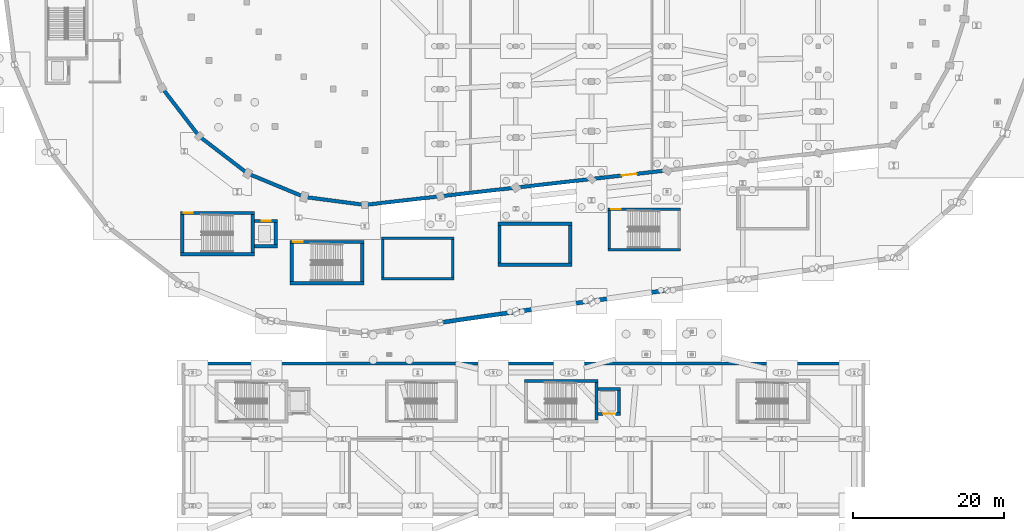
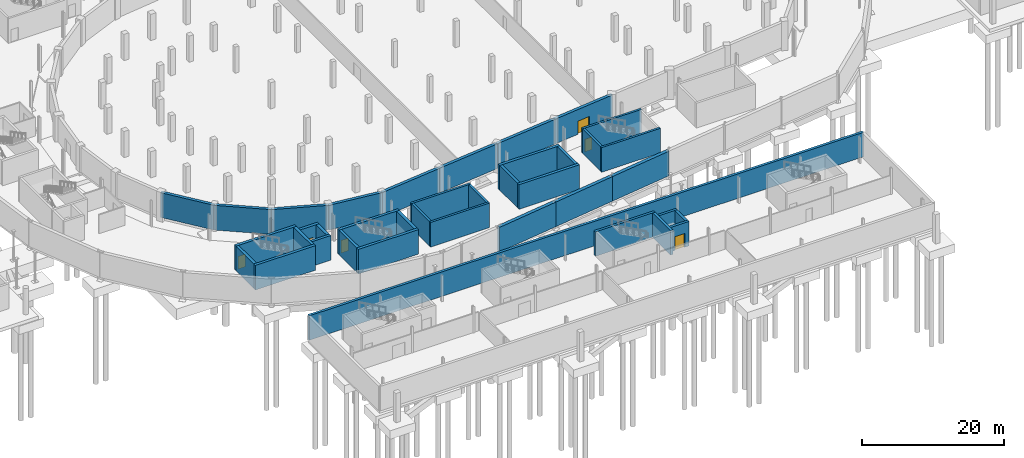
# One storey, part 45 of 55: 39 walls, 6 doors, 6 openings.
"""IFC4 building model written with IfcOpenShell, lengths in metres."""

from ifc_helpers import new_model, si_unit, direction, frame, frame_2d, origin, place, context, subcontext, project, spatial, rectangle, extrude, material, layer, layer_set, type_object, element, fill, save


model = new_model("IFC4")

# Units and contexts
model_context = context("Model", 3, precision=1e-05, world=origin(), true_north=direction((0.0, 1.0)))
body_context = subcontext(model_context, "Body", "Model", "MODEL_VIEW")
ifc_project = project(units=[si_unit("LENGTHUNIT", "METRE"), si_unit("AREAUNIT", "SQUARE_METRE"), si_unit("VOLUMEUNIT", "CUBIC_METRE"), si_unit("PLANEANGLEUNIT", "RADIAN"), si_unit("MASSUNIT", "GRAM", prefix="KILO")], contexts=[model_context])

# Site, building, storey
site_placement = place(None, origin())
site = spatial("IfcSite", under=ifc_project, at=site_placement, CompositionType="ELEMENT")
building_placement = place(site_placement, origin())
building = spatial("IfcBuilding", under=site, at=building_placement, Name="Sohan Crest Arena", CompositionType="ELEMENT")
storey_placement = place(building_placement, frame((0.0, 0.0, -4.5)))
storey = spatial("IfcBuildingStorey", under=building, at=storey_placement, Name="B1", CompositionType="ELEMENT", Elevation=-4.5)

# Walls
ifc_material_1 = material(Name="Concrete C40/50", Category="concrete")
ifc_layer_1 = layer(ifc_material_1, 0.419921875, Name="Concrete C40/50")
ifc_layer_set_1 = layer_set([ifc_layer_1], Name="Concrete C40/50")
wall_type_1 = type_object("IfcWallType", Name="WAL-RW01", PredefinedType="USERDEFINED", material=ifc_layer_set_1)
wall_1_placement = place(storey_placement, frame((164.0, 26.0, 0.0), z_axis=(0.0, 0.0, 1.0), x_axis=(-1.0, 0.0, 0.0)))
element("IfcWall", 1, at=wall_1_placement, inside=storey, type_object=wall_type_1, Name="External wall RW-037", ObjectType="RETAINING WALL", PredefinedType="USERDEFINED", context=body_context, shape_type="SweptSolid", body=[
    extrude(rectangle(XDim=90.0, YDim=0.419921875, at=frame_2d((45.0, 0.0))), origin(), (0.0, 0.0, 1.0), 4.199951171875),
])
ifc_layer_2 = layer(ifc_material_1, 0.47998046875, Name="Concrete C40/50")
ifc_layer_set_2 = layer_set([ifc_layer_2], Name="Concrete C40/50")
wall_type_2 = type_object("IfcWallType", Name="WAL-RW02", PredefinedType="USERDEFINED", material=ifc_layer_set_2)
for number, where, z_axis, x_axis, name in (
    (2, (71.153076171875, 62.5, 0.0), (0.0, 0.0, 1.0), (0.608825408167, -0.793304243257, 0.0), "External wall RW-009"),
    (3, (76.080078125, 56.080078125, 0.0), (0.0, 0.0, 1.0), (0.793304243257, -0.608825408167, 0.0), "External wall RW-010"),
):
    element("IfcWall", number, at=place(storey_placement, frame(where, z_axis=z_axis, x_axis=x_axis)), inside=storey, type_object=wall_type_2, Name=name, ObjectType="RETAINING WALL", PredefinedType="USERDEFINED", context=body_context, shape_type="SweptSolid", body=[
        extrude(rectangle(XDim=8.092529296875, YDim=0.47998046875, at=frame_2d((4.04638671875, 0.0))), origin(), (0.0, 0.0, 1.0), 4.25),
    ])
wall_2_placement = place(storey_placement, frame((82.5, 51.153076171875, 0.0), z_axis=(0.0, 0.0, 1.0), x_axis=(0.923876381497, -0.382691039498, 0.0)))
element("IfcWall", 4, at=wall_2_placement, inside=storey, type_object=wall_type_2, Name="External wall RW-011", ObjectType="RETAINING WALL", PredefinedType="USERDEFINED", context=body_context, shape_type="SweptSolid", body=[
    extrude(rectangle(XDim=8.093017578125, YDim=0.47998046875, at=frame_2d((4.04638671875, 0.0))), origin(), (0.0, 0.0, 1.0), 4.25),
])
wall_3_placement = place(storey_placement, frame((89.97705078125, 48.055908203125, 0.0), z_axis=(0.0, 0.0, 1.0), x_axis=(0.99145018748, -0.130485730048, 0.0)))
element("IfcWall", 5, at=wall_3_placement, inside=storey, type_object=wall_type_2, Name="External wall RW-012", ObjectType="RETAINING WALL", PredefinedType="USERDEFINED", context=body_context, shape_type="SweptSolid", body=[
    extrude(rectangle(XDim=8.092041015625, YDim=0.47998046875, at=frame_2d((4.0458984375, 0.0))), origin(), (0.0, 0.0, 1.0), 4.25),
])
for number, where, z_axis, x_axis, name in (
    (6, (98.0, 47.0, 0.0), (0.0, 0.0, 1.0), (0.99353032697, 0.113567114035, 0.0), "External wall RW-013"),
    (7, (108.0, 48.14306640625, 0.0), (0.0, 0.0, 1.0), (0.993533063564, 0.113543170668, 0.0), "External wall RW-014"),
    (8, (118.0, 49.285888671875, 0.0), (0.0, 0.0, 1.0), (0.99353032697, 0.113567114035, 0.0), "External wall RW-015"),
):
    element("IfcWall", number, at=place(storey_placement, frame(where, z_axis=z_axis, x_axis=x_axis)), inside=storey, type_object=wall_type_2, Name=name, ObjectType="RETAINING WALL", PredefinedType="USERDEFINED", context=body_context, shape_type="SweptSolid", body=[
        extrude(rectangle(XDim=10.065185546875, YDim=0.47998046875, at=frame_2d((5.03271484375, 0.0))), origin(), (0.0, 0.0, 1.0), 4.25),
    ])

# Wall, opening, door
wall_4_placement = place(storey_placement, frame((128.0, 50.428955078125, 0.0), z_axis=(0.0, 0.0, 1.0), x_axis=(0.993541269973, 0.113471339378, 0.0)))
wall_4 = element("IfcWall", 9, at=wall_4_placement, inside=storey, type_object=wall_type_2, Name="External wall RW-016", ObjectType="RETAINING WALL", PredefinedType="USERDEFINED", context=body_context, shape_type="SweptSolid", body=[
    extrude(rectangle(XDim=10.06494140625, YDim=0.47998046875, at=frame_2d((5.032470703125, 0.0))), origin(), (0.0, 0.0, 1.0), 4.25),
])
opening_1_placement = place(wall_4_placement, frame((4.031982421875, 0.0, 0.0)))
opening_1 = element("IfcOpeningElement", 10, at=opening_1_placement, cuts=wall_4, Name="Opening B1V-15", PredefinedType="OPENING", context=body_context, shape_type="SweptSolid", body=[
    extrude(rectangle(XDim=2.0, YDim=2.25, at=frame_2d((1.0, 1.125))), frame((0.0, 0.25, 0.0), z_axis=(0.0, -1.0, 0.0), x_axis=(1.0, 0.0, 0.0)), (0.0, 0.0, 1.0), 0.5),
])
ifc_material_2 = material(Name="Fire-rated steel concourse compartment door", Category="steel")
door_type_1 = type_object("IfcDoorType", Name="DR-FD02", OperationType="DOUBLE_DOOR_SINGLE_SWING", PredefinedType="DOOR", material=ifc_material_2)
door_1_placement = place(opening_1_placement, origin())
door_1 = element("IfcDoor", 11, at=door_1_placement, inside=storey, type_object=door_type_1, Name="Basement bowl egress door B1V-15", OperationType="DOUBLE_DOOR_SINGLE_SWING", OverallHeight=2.25, OverallWidth=2.0, PredefinedType="DOOR", context=body_context, shape_type="SweptSolid", body=[
    extrude(rectangle(XDim=2.0, YDim=2.25, at=frame_2d((1.0, 1.125))), frame((0.0, 0.02490234375, 0.0), z_axis=(0.0, -1.0, 0.0), x_axis=(1.0, 0.0, 0.0)), (0.0, 0.0, 1.0), 0.050048828125),
])
fill(opening_1, door_1)

# Walls
ifc_layer_3 = layer(ifc_material_1, 0.5400390625, Name="Concrete C40/50")
ifc_layer_set_3 = layer_set([ifc_layer_3], Name="Concrete C40/50")
wall_type_3 = type_object("IfcWallType", Name="WAL-RW03", PredefinedType="USERDEFINED", material=ifc_layer_set_3)
for number, where, z_axis, x_axis, name in (
    (12, (108.0, 31.428955078125, 0.0), (0.0, 0.0, 1.0), (0.989957709412, 0.141363834042, 0.0), "External wall RW-052"),
    (13, (118.0, 32.85693359375, 0.0), (0.0, 0.0, 1.0), (0.989944175879, 0.141458575718, 0.0), "External wall RW-053"),
    (14, (128.0, 34.285888671875, 0.0), (0.0, 0.0, 1.0), (0.989954326844, 0.141387519825, 0.0), "External wall RW-054"),
):
    element("IfcWall", number, at=place(storey_placement, frame(where, z_axis=z_axis, x_axis=x_axis)), inside=storey, type_object=wall_type_3, Name=name, ObjectType="RETAINING WALL", PredefinedType="USERDEFINED", context=body_context, shape_type="SweptSolid", body=[
        extrude(rectangle(XDim=10.1015625, YDim=0.5400390625, at=frame_2d((5.05078125, 0.0))), origin(), (0.0, 0.0, 1.0), 4.22509765625),
    ])
ifc_layer_4 = layer(ifc_material_1, 0.35009765625, Name="Concrete C40/50")
ifc_layer_set_4 = layer_set([ifc_layer_4], Name="Concrete C40/50")
wall_type_4 = type_object("IfcWallType", Name="WAL-SW02", PredefinedType="SHEAR", material=ifc_layer_set_4)
for number, where, z_axis, x_axis, name in (
    (15, (100.199951171875, 37.22509765625, 0.0), (0.0, 0.0, 1.0), (1.0, 0.0, 0.0), "Core shear wall SW-0239"),
    (16, (100.199951171875, 42.574951171875, 0.0), (0.0, 0.0, 1.0), (1.0, 0.0, 0.0), "Core shear wall SW-0240"),
):
    element("IfcWall", number, at=place(storey_placement, frame(where, z_axis=z_axis, x_axis=x_axis)), inside=storey, type_object=wall_type_4, Name=name, PredefinedType="SHEAR", context=body_context, shape_type="SweptSolid", body=[
        extrude(rectangle(XDim=9.60009765625, YDim=0.35009765625, at=frame_2d((4.800048828125, 0.0))), origin(), (0.0, 0.0, 1.0), 4.22509765625),
    ])
for number, where, z_axis, x_axis, name in (
    (17, (100.375, 37.39990234375, 0.0), (0.0, 0.0, 1.0), (0.0, 1.0, 0.0), "Core shear wall SW-0241"),
    (18, (109.625, 37.39990234375, 0.0), (0.0, 0.0, 1.0), (0.0, 1.0, 0.0), "Core shear wall SW-0242"),
    (19, (130.375, 41.25, 0.0), (0.0, 0.0, 1.0), (0.0, 1.0, 0.0), "Core shear wall SW-0781"),
):
    element("IfcWall", number, at=place(storey_placement, frame(where, z_axis=z_axis, x_axis=x_axis)), inside=storey, type_object=wall_type_4, Name=name, PredefinedType="SHEAR", context=body_context, shape_type="SweptSolid", body=[
        extrude(rectangle(XDim=5.0, YDim=0.35009765625, at=frame_2d((2.5, 0.0))), origin(), (0.0, 0.0, 1.0), 4.22509765625),
    ])
wall_5_placement = place(storey_placement, frame((130.199951171875, 41.074951171875, 0.0), z_axis=(0.0, 0.0, 1.0), x_axis=(1.0, 0.0, 0.0)))
element("IfcWall", 20, at=wall_5_placement, inside=storey, type_object=wall_type_4, Name="Core shear wall SW-0783", PredefinedType="SHEAR", context=body_context, shape_type="SweptSolid", body=[
    extrude(rectangle(XDim=9.60009765625, YDim=0.35009765625, at=frame_2d((4.800048828125, 0.0))), origin(), (0.0, 0.0, 1.0), 4.22509765625),
])

# Wall, opening, door
wall_6_placement = place(storey_placement, frame((130.199951171875, 46.425048828125, 0.0), z_axis=(0.0, 0.0, 1.0), x_axis=(1.0, 0.0, 0.0)))
wall_6 = element("IfcWall", 21, at=wall_6_placement, inside=storey, type_object=wall_type_4, Name="Core shear wall SW-0784", PredefinedType="SHEAR", context=body_context, shape_type="SweptSolid", body=[
    extrude(rectangle(XDim=9.60009765625, YDim=0.35009765625, at=frame_2d((4.800048828125, 0.0))), origin(), (0.0, 0.0, 1.0), 4.22509765625),
])
opening_2_placement = place(wall_6_placement, frame((0.449951171875, 0.0, 0.0)))
opening_2 = element("IfcOpeningElement", 22, at=opening_2_placement, cuts=wall_6, Name="Opening SD-0211", PredefinedType="OPENING", context=body_context, shape_type="SweptSolid", body=[
    extrude(rectangle(XDim=1.199951171875, YDim=2.199951171875, at=frame_2d((0.60009765625, 1.10009765625))), frame((0.0, 0.18505859375, 0.0), z_axis=(0.0, -1.0, 0.0), x_axis=(1.0, 0.0, 0.0)), (0.0, 0.0, 1.0), 0.3701171875),
])
ifc_material_3 = material(Name="Fire-rated steel stair and lobby door", Category="steel")
door_type_2 = type_object("IfcDoorType", Name="DR-FD04", OperationType="NOTDEFINED", PredefinedType="DOOR", material=ifc_material_3)
door_2_placement = place(opening_2_placement, origin())
door_2 = element("IfcDoor", 23, at=door_2_placement, inside=storey, type_object=door_type_2, Name="Protected stair door SD-0211", OperationType="SINGLE_SWING_LEFT", OverallHeight=2.199951171875, OverallWidth=1.199951171875, PredefinedType="DOOR", context=body_context, shape_type="SweptSolid", body=[
    extrude(rectangle(XDim=1.199951171875, YDim=2.199951171875, at=frame_2d((0.60009765625, 1.10009765625))), frame((0.0, 0.02490234375, 0.0), z_axis=(0.0, -1.0, 0.0), x_axis=(1.0, 0.0, 0.0)), (0.0, 0.0, 1.0), 0.050048828125),
])
fill(opening_2, door_2)

# Walls
ifc_layer_5 = layer(ifc_material_1, 0.39990234375, Name="Concrete C40/50")
ifc_layer_set_5 = layer_set([ifc_layer_5], Name="Concrete C40/50")
wall_type_5 = type_object("IfcWallType", Name="WAL-SW03", PredefinedType="SHEAR", material=ifc_layer_set_5)
wall_7_placement = place(storey_placement, frame((128.64990234375, 18.5, 0.0), z_axis=(0.0, 0.0, 1.0), x_axis=(0.0, 1.0, 0.0)))
element("IfcWall", 24, at=wall_7_placement, inside=storey, type_object=wall_type_5, Name="Core shear wall SW-0692", PredefinedType="SHEAR", context=body_context, shape_type="SweptSolid", body=[
    extrude(rectangle(XDim=5.0, YDim=0.39990234375, at=frame_2d((2.5, 0.0))), origin(), (0.0, 0.0, 1.0), 4.199951171875),
])
wall_8_placement = place(storey_placement, frame((119.14990234375, 23.699951171875, 0.0), z_axis=(0.0, 0.0, 1.0), x_axis=(1.0, 0.0, 0.0)))
element("IfcWall", 25, at=wall_8_placement, inside=storey, type_object=wall_type_5, Name="Core shear wall SW-0694", PredefinedType="SHEAR", context=body_context, shape_type="SweptSolid", body=[
    extrude(rectangle(XDim=9.7001953125, YDim=0.39990234375, at=frame_2d((4.85009765625, 0.0))), origin(), (0.0, 0.0, 1.0), 4.199951171875),
])
wall_9_placement = place(storey_placement, frame((131.64990234375, 19.550048828125, 0.0), z_axis=(0.0, 0.0, 1.0), x_axis=(0.0, 1.0, 0.0)))
element("IfcWall", 26, at=wall_9_placement, inside=storey, type_object=wall_type_5, Name="Core shear wall SW-0695", PredefinedType="SHEAR", context=body_context, shape_type="SweptSolid", body=[
    extrude(rectangle(XDim=2.89990234375, YDim=0.39990234375, at=frame_2d((1.449951171875, 0.0))), origin(), (0.0, 0.0, 1.0), 4.199951171875),
])

# Wall, opening, door
wall_10_placement = place(storey_placement, frame((128.85009765625, 19.35009765625, 0.0), z_axis=(0.0, 0.0, 1.0), x_axis=(1.0, 0.0, 0.0)))
wall_10 = element("IfcWall", 27, at=wall_10_placement, inside=storey, type_object=wall_type_5, Name="Core shear wall SW-0696", PredefinedType="SHEAR", context=body_context, shape_type="SweptSolid", body=[
    extrude(rectangle(XDim=3.0, YDim=0.39990234375, at=frame_2d((1.5, 0.0))), origin(), (0.0, 0.0, 1.0), 4.199951171875),
])
opening_3_placement = place(wall_10_placement, frame((0.699951171875, 0.0, 0.0)))
opening_3 = element("IfcOpeningElement", 28, at=opening_3_placement, cuts=wall_10, Name="Opening LD-GF02-B1", PredefinedType="OPENING", context=body_context, shape_type="SweptSolid", body=[
    extrude(rectangle(XDim=1.60009765625, YDim=2.35009765625, at=frame_2d((0.800048828125, 1.175048828125))), frame((0.0, 0.2099609375, 0.0), z_axis=(0.0, -1.0, 0.0), x_axis=(1.0, 0.0, 0.0)), (0.0, 0.0, 1.0), 0.419921875),
])
ifc_material_4 = material(Name="Stainless steel goods lift landing door", Category="steel")
door_type_3 = type_object("IfcDoorType", Name="DR-LD03", OperationType="SLIDING_TO_LEFT", PredefinedType="DOOR", material=ifc_material_4)
door_3_placement = place(opening_3_placement, origin())
door_3 = element("IfcDoor", 29, at=door_3_placement, inside=storey, type_object=door_type_3, Name="Sliding lift landing door LD-GF02-B1", OperationType="SLIDING_TO_LEFT", OverallHeight=2.35009765625, OverallWidth=1.60009765625, PredefinedType="DOOR", context=body_context, shape_type="SweptSolid", body=[
    extrude(rectangle(XDim=1.60009765625, YDim=2.35009765625, at=frame_2d((0.800048828125, 1.175048828125))), frame((0.0, 0.02490234375, 0.0), z_axis=(0.0, -1.0, 0.0), x_axis=(1.0, 0.0, 0.0)), (0.0, 0.0, 1.0), 0.050048828125),
])
fill(opening_3, door_3)

# Walls
wall_11_placement = place(storey_placement, frame((128.85009765625, 22.64990234375, 0.0), z_axis=(0.0, 0.0, 1.0), x_axis=(1.0, 0.0, 0.0)))
element("IfcWall", 30, at=wall_11_placement, inside=storey, type_object=wall_type_5, Name="Core shear wall SW-0697", PredefinedType="SHEAR", context=body_context, shape_type="SweptSolid", body=[
    extrude(rectangle(XDim=3.0, YDim=0.39990234375, at=frame_2d((1.5, 0.0))), origin(), (0.0, 0.0, 1.0), 4.199951171875),
])
ifc_layer_6 = layer(ifc_material_1, 0.449951171875, Name="Concrete C40/50")
ifc_layer_set_6 = layer_set([ifc_layer_6], Name="Concrete C40/50")
wall_type_6 = type_object("IfcWallType", Name="WAL-SW04", PredefinedType="SHEAR", material=ifc_layer_set_6)
for number, where, z_axis, x_axis, name in (
    (31, (73.824951171875, 40.699951171875, 0.0), (0.0, 0.0, 1.0), (0.0, 1.0, 0.0), "Core shear wall SW-0141"),
    (32, (83.175048828125, 40.699951171875, 0.0), (0.0, 0.0, 1.0), (0.0, 1.0, 0.0), "Core shear wall SW-0142"),
):
    element("IfcWall", number, at=place(storey_placement, frame(where, z_axis=z_axis, x_axis=x_axis)), inside=storey, type_object=wall_type_6, Name=name, PredefinedType="SHEAR", context=body_context, shape_type="SweptSolid", body=[
        extrude(rectangle(XDim=5.0, YDim=0.449951171875, at=frame_2d((2.5, 0.0))), origin(), (0.0, 0.0, 1.0), 4.22509765625),
    ])
wall_12_placement = place(storey_placement, frame((73.60009765625, 40.47509765625, 0.0), z_axis=(0.0, 0.0, 1.0), x_axis=(1.0, 0.0, 0.0)))
element("IfcWall", 33, at=wall_12_placement, inside=storey, type_object=wall_type_6, Name="Core shear wall SW-0143", PredefinedType="SHEAR", context=body_context, shape_type="SweptSolid", body=[
    extrude(rectangle(XDim=9.7998046875, YDim=0.449951171875, at=frame_2d((4.89990234375, 0.0))), origin(), (0.0, 0.0, 1.0), 4.22509765625),
])

# Wall, opening, door
wall_13_placement = place(storey_placement, frame((73.60009765625, 45.925048828125, 0.0), z_axis=(0.0, 0.0, 1.0), x_axis=(1.0, 0.0, 0.0)))
wall_13 = element("IfcWall", 34, at=wall_13_placement, inside=storey, type_object=wall_type_6, Name="Core shear wall SW-0144", PredefinedType="SHEAR", context=body_context, shape_type="SweptSolid", body=[
    extrude(rectangle(XDim=9.7998046875, YDim=0.449951171875, at=frame_2d((4.89990234375, 0.0))), origin(), (0.0, 0.0, 1.0), 4.22509765625),
])
opening_4_placement = place(wall_13_placement, frame((0.449951171875, 0.0, 0.0)))
opening_4 = element("IfcOpeningElement", 35, at=opening_4_placement, cuts=wall_13, Name="Opening SD-0043", PredefinedType="OPENING", context=body_context, shape_type="SweptSolid", body=[
    extrude(rectangle(XDim=1.199951171875, YDim=2.199951171875, at=frame_2d((0.60009765625, 1.10009765625))), frame((0.0, 0.23486328125, 0.0), z_axis=(0.0, -1.0, 0.0), x_axis=(1.0, 0.0, 0.0)), (0.0, 0.0, 1.0), 0.469970703125),
])
door_4_placement = place(opening_4_placement, origin())
door_4 = element("IfcDoor", 36, at=door_4_placement, inside=storey, type_object=door_type_2, Name="Protected stair door SD-0043", OperationType="SINGLE_SWING_LEFT", OverallHeight=2.199951171875, OverallWidth=1.199951171875, PredefinedType="DOOR", context=body_context, shape_type="SweptSolid", body=[
    extrude(rectangle(XDim=1.199951171875, YDim=2.199951171875, at=frame_2d((0.60009765625, 1.10009765625))), frame((0.0, 0.02490234375, 0.0), z_axis=(0.0, -1.0, 0.0), x_axis=(1.0, 0.0, 0.0)), (0.0, 0.0, 1.0), 0.050048828125),
])
fill(opening_4, door_4)

# Walls
wall_14_placement = place(storey_placement, frame((86.22509765625, 41.75, 0.0), z_axis=(0.0, 0.0, 1.0), x_axis=(0.0, 1.0, 0.0)))
element("IfcWall", 37, at=wall_14_placement, inside=storey, type_object=wall_type_6, Name="Core shear wall SW-0145", PredefinedType="SHEAR", context=body_context, shape_type="SweptSolid", body=[
    extrude(rectangle(XDim=2.89990234375, YDim=0.449951171875, at=frame_2d((1.449951171875, 0.0))), origin(), (0.0, 0.0, 1.0), 4.22509765625),
])
wall_15_placement = place(storey_placement, frame((83.39990234375, 41.52490234375, 0.0), z_axis=(0.0, 0.0, 1.0), x_axis=(1.0, 0.0, 0.0)))
element("IfcWall", 38, at=wall_15_placement, inside=storey, type_object=wall_type_6, Name="Core shear wall SW-0146", PredefinedType="SHEAR", context=body_context, shape_type="SweptSolid", body=[
    extrude(rectangle(XDim=3.050048828125, YDim=0.449951171875, at=frame_2d((1.52490234375, 0.0))), origin(), (0.0, 0.0, 1.0), 4.22509765625),
])

# Wall, opening, door
wall_16_placement = place(storey_placement, frame((83.39990234375, 44.875, 0.0), z_axis=(0.0, 0.0, 1.0), x_axis=(1.0, 0.0, 0.0)))
wall_16 = element("IfcWall", 39, at=wall_16_placement, inside=storey, type_object=wall_type_6, Name="Core shear wall SW-0147", PredefinedType="SHEAR", context=body_context, shape_type="SweptSolid", body=[
    extrude(rectangle(XDim=3.050048828125, YDim=0.449951171875, at=frame_2d((1.52490234375, 0.0))), origin(), (0.0, 0.0, 1.0), 4.22509765625),
])
opening_5_placement = place(wall_16_placement, frame((0.925048828125, 0.0, 0.0)))
opening_5 = element("IfcOpeningElement", 40, at=opening_5_placement, cuts=wall_16, Name="Opening LD-LP01-B1", PredefinedType="OPENING", context=body_context, shape_type="SweptSolid", body=[
    extrude(rectangle(XDim=1.199951171875, YDim=2.199951171875, at=frame_2d((0.60009765625, 1.10009765625))), frame((0.0, 0.23486328125, 0.0), z_axis=(0.0, -1.0, 0.0), x_axis=(1.0, 0.0, 0.0)), (0.0, 0.0, 1.0), 0.469970703125),
])
ifc_material_5 = material(Name="Stainless steel passenger lift landing door", Category="steel")
door_type_4 = type_object("IfcDoorType", Name="DR-LD02", OperationType="SLIDING_TO_LEFT", PredefinedType="DOOR", material=ifc_material_5)
door_5_placement = place(opening_5_placement, origin())
door_5 = element("IfcDoor", 41, at=door_5_placement, inside=storey, type_object=door_type_4, Name="Sliding lift landing door LD-LP01-B1", OperationType="SLIDING_TO_LEFT", OverallHeight=2.199951171875, OverallWidth=1.199951171875, PredefinedType="DOOR", context=body_context, shape_type="SweptSolid", body=[
    extrude(rectangle(XDim=1.199951171875, YDim=2.199951171875, at=frame_2d((0.60009765625, 1.10009765625))), frame((0.0, 0.02490234375, 0.0), z_axis=(0.0, -1.0, 0.0), x_axis=(1.0, 0.0, 0.0)), (0.0, 0.0, 1.0), 0.050048828125),
])
fill(opening_5, door_5)

# Walls
for number, where, z_axis, x_axis, name in (
    (42, (115.60009765625, 39.074951171875, 0.0), (0.0, 0.0, 1.0), (1.0, 0.0, 0.0), "Core shear wall SW-0331"),
    (43, (115.60009765625, 44.52490234375, 0.0), (0.0, 0.0, 1.0), (1.0, 0.0, 0.0), "Core shear wall SW-0332"),
):
    element("IfcWall", number, at=place(storey_placement, frame(where, z_axis=z_axis, x_axis=x_axis)), inside=storey, type_object=wall_type_6, Name=name, PredefinedType="SHEAR", context=body_context, shape_type="SweptSolid", body=[
        extrude(rectangle(XDim=9.7998046875, YDim=0.449951171875, at=frame_2d((4.89990234375, 0.0))), origin(), (0.0, 0.0, 1.0), 4.22509765625),
    ])
for number, where, z_axis, x_axis, name in (
    (44, (115.824951171875, 39.300048828125, 0.0), (0.0, 0.0, 1.0), (0.0, 1.0, 0.0), "Core shear wall SW-0333"),
    (45, (125.175048828125, 39.300048828125, 0.0), (0.0, 0.0, 1.0), (0.0, 1.0, 0.0), "Core shear wall SW-0334"),
    (46, (88.324951171875, 36.860107421875, 0.0), (0.0, 0.0, 1.0), (0.0, 1.0, 0.0), "Core shear wall SW-0733"),
    (47, (97.675048828125, 36.860107421875, 0.0), (0.0, 0.0, 1.0), (0.0, 1.0, 0.0), "Core shear wall SW-0734"),
):
    element("IfcWall", number, at=place(storey_placement, frame(where, z_axis=z_axis, x_axis=x_axis)), inside=storey, type_object=wall_type_6, Name=name, PredefinedType="SHEAR", context=body_context, shape_type="SweptSolid", body=[
        extrude(rectangle(XDim=5.0, YDim=0.449951171875, at=frame_2d((2.5, 0.0))), origin(), (0.0, 0.0, 1.0), 4.22509765625),
    ])
wall_17_placement = place(storey_placement, frame((88.10009765625, 36.635009765625, 0.0), z_axis=(0.0, 0.0, 1.0), x_axis=(1.0, 0.0, 0.0)))
element("IfcWall", 48, at=wall_17_placement, inside=storey, type_object=wall_type_6, Name="Core shear wall SW-0735", PredefinedType="SHEAR", context=body_context, shape_type="SweptSolid", body=[
    extrude(rectangle(XDim=9.7998046875, YDim=0.449951171875, at=frame_2d((4.89990234375, 0.0))), origin(), (0.0, 0.0, 1.0), 4.22509765625),
])

# Wall, opening, door
wall_18_placement = place(storey_placement, frame((88.10009765625, 42.0849609375, 0.0), z_axis=(0.0, 0.0, 1.0), x_axis=(1.0, 0.0, 0.0)))
wall_18 = element("IfcWall", 49, at=wall_18_placement, inside=storey, type_object=wall_type_6, Name="Core shear wall SW-0736", PredefinedType="SHEAR", context=body_context, shape_type="SweptSolid", body=[
    extrude(rectangle(XDim=9.7998046875, YDim=0.449951171875, at=frame_2d((4.89990234375, 0.0))), origin(), (0.0, 0.0, 1.0), 4.22509765625),
])
opening_6_placement = place(wall_18_placement, frame((0.449951171875, 0.0, 0.0)))
opening_6 = element("IfcOpeningElement", 50, at=opening_6_placement, cuts=wall_18, Name="Opening SD-0199", PredefinedType="OPENING", context=body_context, shape_type="SweptSolid", body=[
    extrude(rectangle(XDim=1.199951171875, YDim=2.199951171875, at=frame_2d((0.60009765625, 1.10009765625))), frame((0.0, 0.23486328125, 0.0), z_axis=(0.0, -1.0, 0.0), x_axis=(1.0, 0.0, 0.0)), (0.0, 0.0, 1.0), 0.469970703125),
])
door_6_placement = place(opening_6_placement, origin())
door_6 = element("IfcDoor", 51, at=door_6_placement, inside=storey, type_object=door_type_2, Name="Protected stair door SD-0199", OperationType="SINGLE_SWING_LEFT", OverallHeight=2.199951171875, OverallWidth=1.199951171875, PredefinedType="DOOR", context=body_context, shape_type="SweptSolid", body=[
    extrude(rectangle(XDim=1.199951171875, YDim=2.199951171875, at=frame_2d((0.60009765625, 1.10009765625))), frame((0.0, 0.02490234375, 0.0), z_axis=(0.0, -1.0, 0.0), x_axis=(1.0, 0.0, 0.0)), (0.0, 0.0, 1.0), 0.050048828125),
])
fill(opening_6, door_6)

save(model, "model.ifc")
